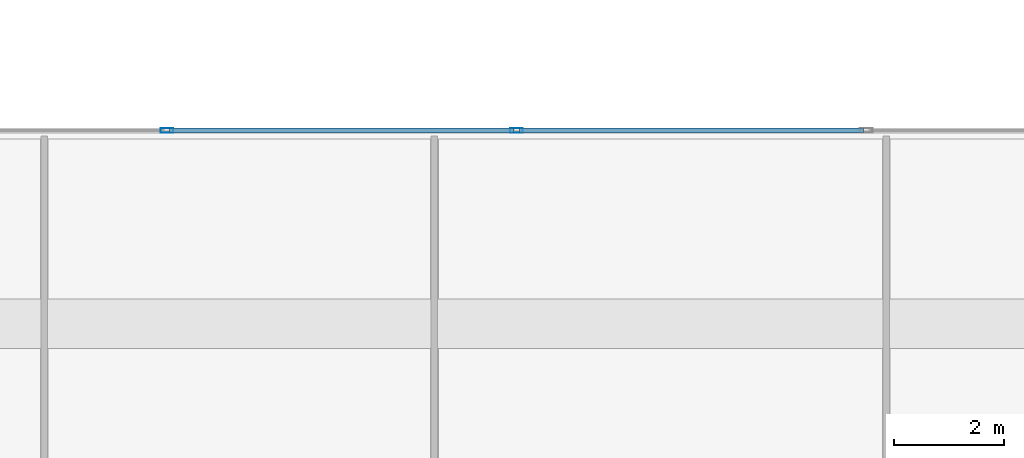
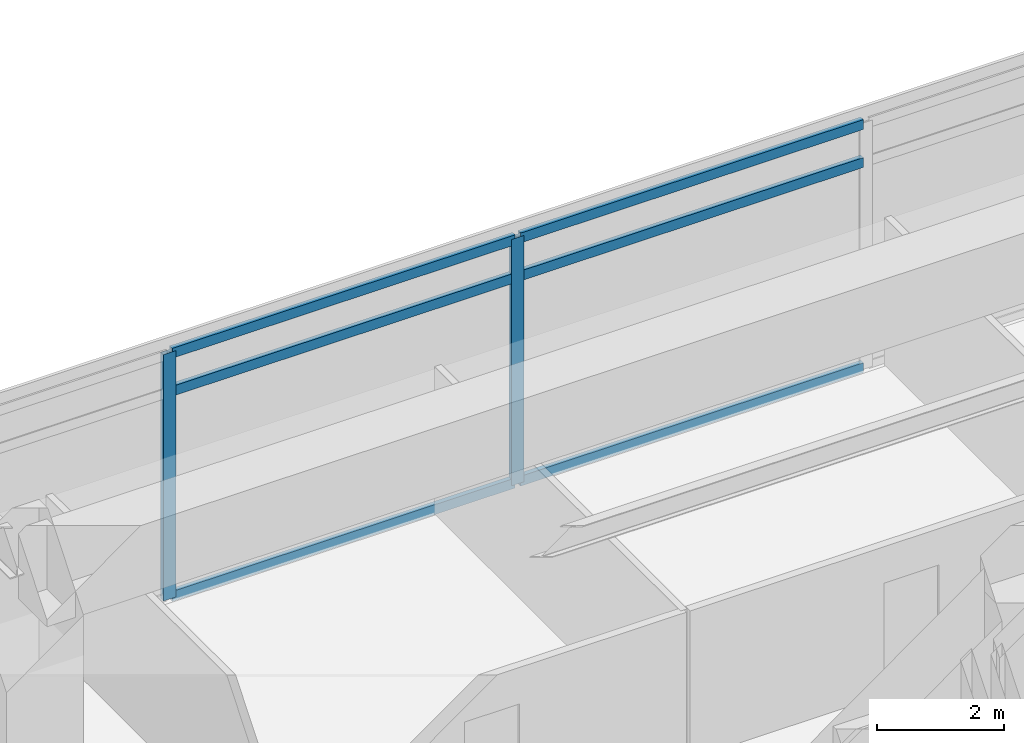
# One storey, part 9 of 19: 8 members, 1 element without a shape of its own.
"""IFC4 building model written with IfcOpenShell, lengths in metres."""

from ifc_helpers import new_model, si_unit, direction, frame, origin, origin_2d, place, context, subcontext, project, spatial, hollow_rectangle, extrude, material, material_profile, profile_set, type_object, element, aggregate, save


model = new_model("IFC4")

# Units and contexts
model_context = context("Model", 3, precision=1e-05, world=origin(), true_north=direction((0.0, 1.0)))
body_context = subcontext(model_context, "Body", "Model", "MODEL_VIEW")
ifc_project = project(units=[si_unit("LENGTHUNIT", "METRE"), si_unit("AREAUNIT", "SQUARE_METRE"), si_unit("VOLUMEUNIT", "CUBIC_METRE"), si_unit("PLANEANGLEUNIT", "RADIAN"), si_unit("MASSUNIT", "GRAM", prefix="KILO")], contexts=[model_context])

# Site, building, storey
site_placement = place(None, origin())
site = spatial("IfcSite", under=ifc_project, at=site_placement, CompositionType="ELEMENT")
building_placement = place(site_placement, origin())
building = spatial("IfcBuilding", under=site, at=building_placement, Name="Kovane Verandah Tower", CompositionType="ELEMENT")
storey_placement = place(building_placement, frame((0.0, 0.0, 200.199951171875)))
storey = spatial("IfcBuildingStorey", under=building, at=storey_placement, Name="L46", CompositionType="ELEMENT", Elevation=200.199951171875)

# Curtain wall, members
ifc_material_1 = material(Name="Champagne Anodised Aluminium Frame with Low-E Clear Laminated Glass", Category="aluminium")
curtain_wall_type = type_object("IfcCurtainWallType", Name="CW-SYS-04-WAIST", PredefinedType="NOTDEFINED", material=ifc_material_1)
curtain_wall_placement = place(storey_placement, origin())
curtain_wall = element("IfcCurtainWall", 1, at=curtain_wall_placement, inside=storey, type_object=curtain_wall_type, Name="L46 N Unitised Curtain Wall", PredefinedType="NOTDEFINED")
ifc_material_2 = material(Name="Champagne Anodised Aluminium 6063-T6", Category="aluminium")
ifc_material_profile_1 = material_profile(ifc_material_2, hollow_rectangle(XDim=0.0849609375, YDim=0.22998046875, WallThickness=0.00390625, at=origin_2d()), Name="AL85x230x4")
ifc_profile_set_1 = profile_set([ifc_material_profile_1], Name="Champagne Anodised Aluminium 6063-T6")
member_type_1 = type_object("IfcMemberType", Name="CW-MUL-85x230", PredefinedType="MULLION", material=ifc_profile_set_1)
member_1_placement = place(storey_placement, frame((40.0, 47.699951171875, 0.02001953125), z_axis=(0.0, 0.0, 1.0), x_axis=(0.0, 1.0, 0.0)))
member_1 = element("IfcMember", 2, at=member_1_placement, type_object=member_type_1, Name="L46 N Unitised Curtain Wall Mullion 4", PredefinedType="MULLION", context=body_context, shape_type="SweptSolid", body=[
    extrude(hollow_rectangle(XDim=0.0849609375, YDim=0.22998046875, WallThickness=0.00390625, at=origin_2d()), origin(), (0.0, 0.0, 1.0), 4.735107421875),
])
member_2_placement = place(storey_placement, frame((33.666748046875, 47.699951171875, 0.02001953125), z_axis=(0.0, 0.0, 1.0), x_axis=(0.0, 1.0, 0.0)))
member_2 = element("IfcMember", 3, at=member_2_placement, type_object=member_type_1, Name="L46 N Unitised Curtain Wall Mullion 5", PredefinedType="MULLION", context=body_context, shape_type="SweptSolid", body=[
    extrude(hollow_rectangle(XDim=0.0849609375, YDim=0.22998046875, WallThickness=0.00390625, at=origin_2d()), origin(), (0.0, 0.0, 1.0), 4.735107421875),
])
ifc_material_profile_2 = material_profile(ifc_material_2, hollow_rectangle(XDim=0.0849609375, YDim=0.18994140625, WallThickness=0.00390625, at=origin_2d()), Name="AL85x190x4")
ifc_profile_set_2 = profile_set([ifc_material_profile_2], Name="Champagne Anodised Aluminium 6063-T6")
member_type_2 = type_object("IfcMemberType", Name="CW-TRN-85x190", PredefinedType="USERDEFINED", material=ifc_profile_set_2)
member_3_placement = place(storey_placement, frame((46.283203125, 47.699951171875, 0.050048828125), z_axis=(-1.0, 0.0, 0.0), x_axis=(0.0, -1.0, 0.0)))
member_3 = element("IfcMember", 4, at=member_3_placement, type_object=member_type_2, Name="L46 N Unitised Curtain Wall Transom TB Bay 3", ObjectType="TRANSOM", PredefinedType="USERDEFINED", context=body_context, shape_type="SweptSolid", body=[
    extrude(hollow_rectangle(XDim=0.0849609375, YDim=0.18994140625, WallThickness=0.00390625, at=origin_2d()), origin(), (0.0, 0.0, 1.0), 6.233154296875),
])
member_4_placement = place(storey_placement, frame((46.283203125, 47.699951171875, 3.9951171875), z_axis=(-1.0, 0.0, 0.0), x_axis=(0.0, -1.0, 0.0)))
member_4 = element("IfcMember", 5, at=member_4_placement, type_object=member_type_2, Name="L46 N Unitised Curtain Wall Transom TM Bay 3", ObjectType="TRANSOM", PredefinedType="USERDEFINED", context=body_context, shape_type="SweptSolid", body=[
    extrude(hollow_rectangle(XDim=0.0849609375, YDim=0.18994140625, WallThickness=0.00390625, at=origin_2d()), origin(), (0.0, 0.0, 1.0), 6.233154296875),
])
member_5_placement = place(storey_placement, frame((46.283203125, 47.699951171875, 4.72509765625), z_axis=(-1.0, 0.0, 0.0), x_axis=(0.0, -1.0, 0.0)))
member_5 = element("IfcMember", 6, at=member_5_placement, type_object=member_type_2, Name="L46 N Unitised Curtain Wall Transom TT Bay 3", ObjectType="TRANSOM", PredefinedType="USERDEFINED", context=body_context, shape_type="SweptSolid", body=[
    extrude(hollow_rectangle(XDim=0.0849609375, YDim=0.18994140625, WallThickness=0.00390625, at=origin_2d()), origin(), (0.0, 0.0, 1.0), 6.233154296875),
])
member_6_placement = place(storey_placement, frame((39.949951171875, 47.699951171875, 0.050048828125), z_axis=(-1.0, 0.0, 0.0), x_axis=(0.0, -1.0, 0.0)))
member_6 = element("IfcMember", 7, at=member_6_placement, type_object=member_type_2, Name="L46 N Unitised Curtain Wall Transom TB Bay 4", ObjectType="TRANSOM", PredefinedType="USERDEFINED", context=body_context, shape_type="SweptSolid", body=[
    extrude(hollow_rectangle(XDim=0.0849609375, YDim=0.18994140625, WallThickness=0.00390625, at=origin_2d()), origin(), (0.0, 0.0, 1.0), 6.233154296875),
])
member_7_placement = place(storey_placement, frame((39.949951171875, 47.699951171875, 3.9951171875), z_axis=(-1.0, 0.0, 0.0), x_axis=(0.0, -1.0, 0.0)))
member_7 = element("IfcMember", 8, at=member_7_placement, type_object=member_type_2, Name="L46 N Unitised Curtain Wall Transom TM Bay 4", ObjectType="TRANSOM", PredefinedType="USERDEFINED", context=body_context, shape_type="SweptSolid", body=[
    extrude(hollow_rectangle(XDim=0.0849609375, YDim=0.18994140625, WallThickness=0.00390625, at=origin_2d()), origin(), (0.0, 0.0, 1.0), 6.233154296875),
])
member_8_placement = place(storey_placement, frame((39.949951171875, 47.699951171875, 4.72509765625), z_axis=(-1.0, 0.0, 0.0), x_axis=(0.0, -1.0, 0.0)))
member_8 = element("IfcMember", 9, at=member_8_placement, type_object=member_type_2, Name="L46 N Unitised Curtain Wall Transom TT Bay 4", ObjectType="TRANSOM", PredefinedType="USERDEFINED", context=body_context, shape_type="SweptSolid", body=[
    extrude(hollow_rectangle(XDim=0.0849609375, YDim=0.18994140625, WallThickness=0.00390625, at=origin_2d()), origin(), (0.0, 0.0, 1.0), 6.233154296875),
])
aggregate(curtain_wall, [member_1, member_2, member_3, member_4, member_5, member_6, member_7, member_8])

save(model, "model.ifc")
